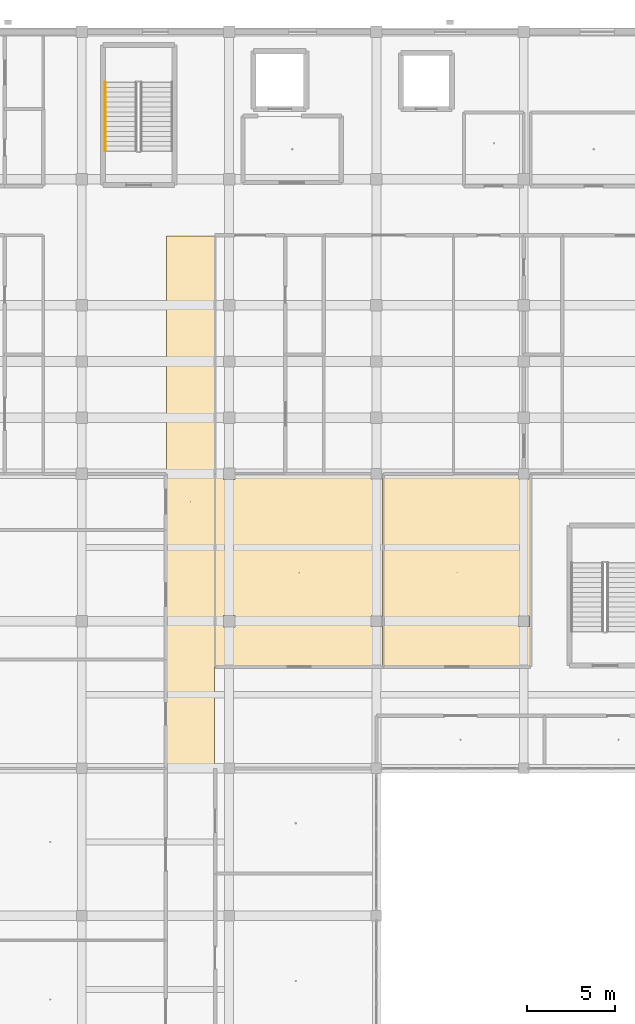
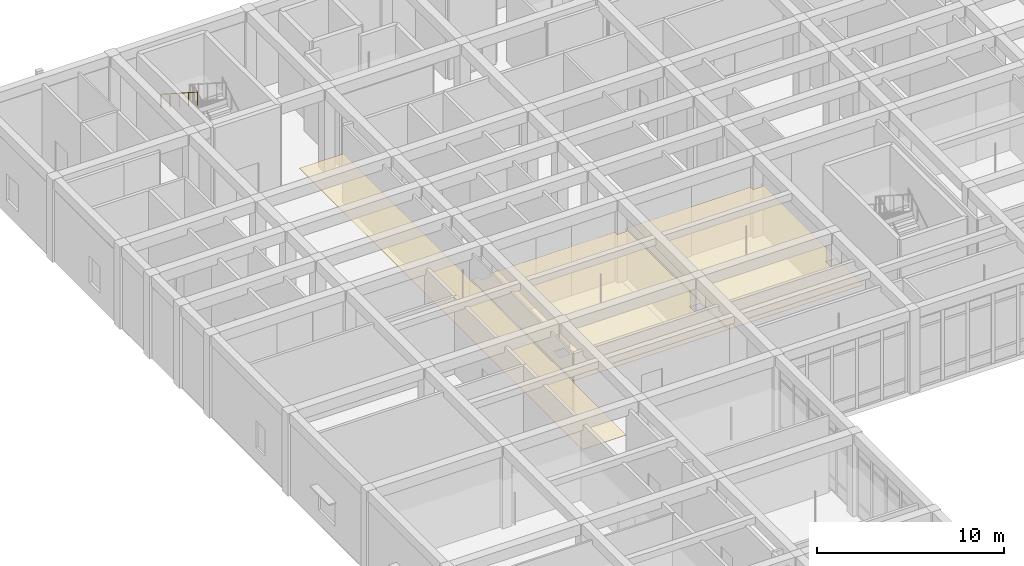
# One storey, part 139 of 157: 3 coverings, 1 railing.
"""IFC4 building model written with IfcOpenShell, lengths in metres."""

from ifc_helpers import new_model, si_unit, direction, frame, origin, origin_2d, place, context, subcontext, project, spatial, polyline, circle, outline, extrude, material, layer, layer_set, type_object, element, save


model = new_model("IFC4")

# Units and contexts
model_context = context("Model", 3, precision=1e-05, world=origin(), true_north=direction((0.0, 1.0)))
body_context = subcontext(model_context, "Body", "Model", "MODEL_VIEW")
ifc_project = project(units=[si_unit("LENGTHUNIT", "METRE"), si_unit("AREAUNIT", "SQUARE_METRE"), si_unit("VOLUMEUNIT", "CUBIC_METRE"), si_unit("PLANEANGLEUNIT", "RADIAN"), si_unit("MASSUNIT", "GRAM", prefix="KILO")], contexts=[model_context])

# Site, building, storey
site_placement = place(None, origin())
site = spatial("IfcSite", under=ifc_project, at=site_placement, CompositionType="ELEMENT")
building_placement = place(site_placement, origin())
building = spatial("IfcBuilding", under=site, at=building_placement, Name="Varncliffe General Hospital", CompositionType="ELEMENT")
storey_placement = place(building_placement, frame((0.0, 0.0, 5.39990234375)))
storey = spatial("IfcBuildingStorey", under=building, at=storey_placement, Name="L01", CompositionType="ELEMENT", Elevation=5.39990234375)

# Coverings
ifc_material_1 = material(Name="Hygienic antimicrobial acoustic suspended ceiling tile", Category="gypsum")
ifc_layer = layer(ifc_material_1, 0.02490234375)
ifc_layer_set = layer_set([ifc_layer], Name="Hygienic antimicrobial acoustic suspended ceiling tile")
covering_type = type_object("IfcCoveringType", Name="Antimicrobial Acoustic Suspended Ceiling CLG44", PredefinedType="CEILING", material=ifc_layer_set)
covering_1_placement = place(storey_placement, frame((0.0, 0.0, 3.175048828125)))
element("IfcCovering", 1, at=covering_1_placement, inside=storey, type_object=covering_type, Name="L01 West Link Corridor L01 Suspended Ceiling", PredefinedType="CEILING", context=body_context, shape_type="SweptSolid", body=[
    extrude(outline(polyline([(15.9599609375, 82.840087890625), (15.9599609375, 113.159912109375), (13.239990234375, 113.159912109375), (13.239990234375, 82.840087890625), (15.9599609375, 82.840087890625)])), origin(), (0.0, 0.0, 1.0), 0.025146484375),
])
covering_2_placement = place(storey_placement, frame((0.0, 0.0, 3.175048828125)))
element("IfcCovering", 2, at=covering_2_placement, inside=storey, type_object=covering_type, Name="L01 Clinical Pathology Laboratory 73 Suspended Ceiling", PredefinedType="CEILING", context=body_context, shape_type="SweptSolid", body=[
    extrude(outline(polyline([(25.56005859375, 88.639892578125), (16.0400390625, 88.639892578125), (16.0400390625, 99.56005859375), (16.47509765625, 99.56005859375), (16.47509765625, 99.27490234375), (17.125, 99.27490234375), (17.125, 99.56005859375), (24.89990234375, 99.56005859375), (24.89990234375, 99.300048828125), (25.5, 99.300048828125), (25.5, 99.56005859375), (25.56005859375, 99.56005859375), (25.56005859375, 88.639892578125)]), holes=[polyline([(17.125, 90.875), (17.125, 91.52490234375), (16.47509765625, 91.52490234375), (16.47509765625, 90.875), (17.125, 90.875)]), polyline([(25.5, 90.89990234375), (25.5, 91.5), (24.89990234375, 91.5), (24.89990234375, 90.89990234375), (25.5, 90.89990234375)])]), origin(), (0.0, 0.0, 1.0), 0.025146484375),
])
covering_3_placement = place(storey_placement, frame((0.0, 0.0, 3.175048828125)))
element("IfcCovering", 3, at=covering_3_placement, inside=storey, type_object=covering_type, Name="L01 Transfusion Blood Bank Laboratory 74 Suspended Ceiling", PredefinedType="CEILING", context=body_context, shape_type="SweptSolid", body=[
    extrude(outline(polyline([(33.9599609375, 99.56005859375), (33.9599609375, 88.639892578125), (25.639892578125, 88.639892578125), (25.639892578125, 99.56005859375), (33.300048828125, 99.56005859375), (33.300048828125, 99.300048828125), (33.89990234375, 99.300048828125), (33.89990234375, 99.56005859375), (33.9599609375, 99.56005859375)]), holes=[polyline([(33.89990234375, 90.89990234375), (33.89990234375, 91.5), (33.300048828125, 91.5), (33.300048828125, 90.89990234375), (33.89990234375, 90.89990234375)])]), origin(), (0.0, 0.0, 1.0), 0.025146484375),
])

# Railing
ifc_material_2 = material(Name="Powder-coated hospital steel guardrail and handrail", Category="steel")
railing_type = type_object("IfcRailingType", Name="Stair and Ramp Handrail HR46", PredefinedType="HANDRAIL", material=ifc_material_2)
railing_placement = place(storey_placement, frame((9.75, 121.919921875, 3.064208984375)))
element("IfcRailing", 4, at=railing_placement, inside=storey, type_object=railing_type, Name="L01 ST01 stair handrail 2", PredefinedType="HANDRAIL", context=body_context, shape_type="SweptSolid", body=[
    extrude(circle(Radius=0.02392578125, at=origin_2d()), frame((0.0, 0.0, 0.8759765625), z_axis=(0.0, -0.84119549742, 0.540731111663), x_axis=(1.0, 0.0, 0.0)), (0.0, 0.0, 1.0), 4.659912109375),
    extrude(circle(Radius=0.02099609375, at=origin_2d()), origin(), (0.0, 0.0, 1.0), 0.851806640625),
    extrude(circle(Radius=0.02099609375, at=origin_2d()), frame((0.0, -0.97998046875, 0.6298828125)), (0.0, 0.0, 1.0), 0.851806640625),
    extrude(circle(Radius=0.02099609375, at=origin_2d()), frame((0.0, -1.9599609375, 1.259765625)), (0.0, 0.0, 1.0), 0.851806640625),
    extrude(circle(Radius=0.02099609375, at=origin_2d()), frame((0.0, -2.93994140625, 1.889892578125)), (0.0, 0.0, 1.0), 0.851806640625),
    extrude(circle(Radius=0.02099609375, at=origin_2d()), frame((0.0, -3.919921875, 2.519775390625)), (0.0, 0.0, 1.0), 0.851806640625),
])

save(model, "model.ifc")
